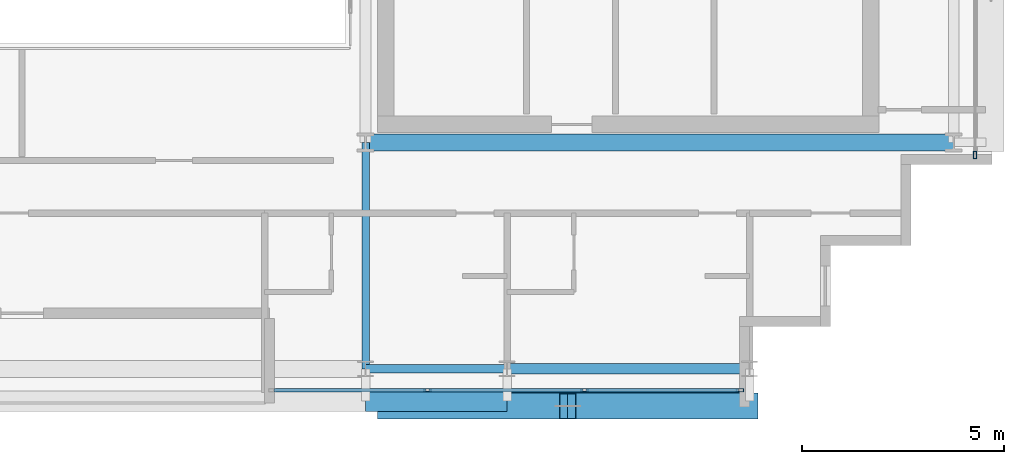
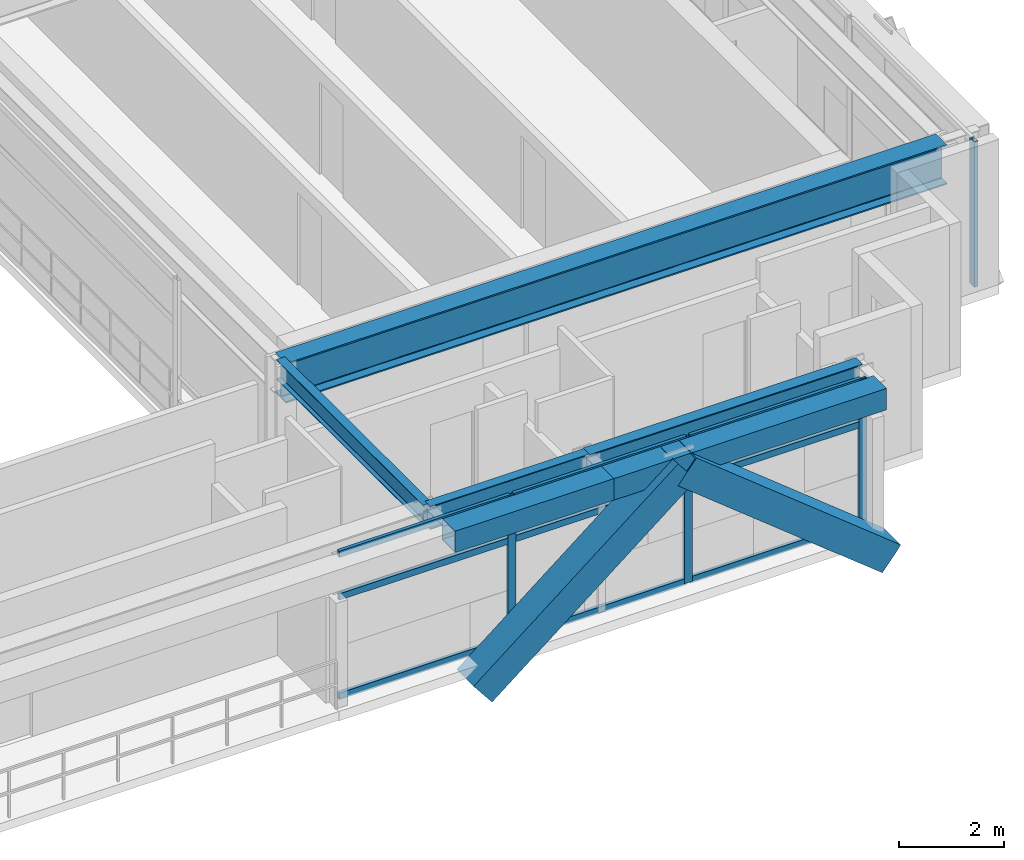
# One storey, part 9 of 29: 15 members, 6 beams, 2 elements without a shape of their own.
"""IFC4 building model written with IfcOpenShell, lengths in metres."""

import ifcopenshell
import ifcopenshell.guid

model = None  # the IFC model being written
_history = None  # IfcOwnerHistory: only IFC2X3 demands one
_inside = {}  # id of a spatial element -> (the spatial element, [elements in it])
_under = {}  # id of a project, library or spatial element -> (it, [spatial elements below it])
_declared = {}  # id of a project -> (the project, [libraries it declares])
_typed = {}  # id of a type object -> (the type object, [elements of that type])
_made_of = {}  # id of a material, layer set ... -> (it, [elements and type objects made of it])


def new_model(schema):
    """Start an empty IFC model of exactly this schema.

    Asked for "IFC4X3", IfcOpenShell would pick the latest addendum, in which some entities
    have other attributes; the version numbers below select the first issue.
    IFC2X3 requires an IfcOwnerHistory on every rooted entity: one is made here for all.
    """
    global model, _history
    if schema == "IFC4X3":
        model = ifcopenshell.file(schema_version=(4, 3, 0, 0))
    else:
        model = ifcopenshell.file(schema=schema)
    _inside.clear()
    _under.clear()
    _declared.clear()
    _typed.clear()
    _made_of.clear()
    _history = None
    if model.schema == "IFC2X3":
        org = make("IfcOrganization", Name="unknown")
        user = make(
            "IfcPersonAndOrganization",
            ThePerson=make("IfcPerson", FamilyName="unknown"),
            TheOrganization=org,
        )
        app = make(
            "IfcApplication",
            ApplicationDeveloper=org,
            Version="unknown",
            ApplicationFullName="unknown",
            ApplicationIdentifier="unknown",
        )
        _history = make(
            "IfcOwnerHistory",
            OwningUser=user,
            OwningApplication=app,
            ChangeAction="ADDED",
            CreationDate=0,
        )
    return model


def make(cls, **values):
    """One entity of the class cls with the attributes given. An attribute that is None is left unset."""
    return model.create_entity(
        cls, **{name: value for name, value in values.items() if value is not None}
    )


def rooted(cls, **values):
    """An entity with a GlobalId (a new one), such as an element, a storey or a relation."""
    return make(cls, GlobalId=ifcopenshell.guid.new(), OwnerHistory=_history, **values)


def si_unit(unit_type, name, prefix=None):
    """IfcSIUnit, for example si_unit("LENGTHUNIT", "METRE", prefix="MILLI")."""
    return make("IfcSIUnit", UnitType=unit_type, Prefix=prefix, Name=name)


def assignment(units):
    """IfcUnitAssignment: the units of a project."""
    return None if units is None else make("IfcUnitAssignment", Units=units)


def point(xyz):
    """IfcCartesianPoint."""
    return None if xyz is None else make("IfcCartesianPoint", Coordinates=xyz)


def direction(xyz):
    """IfcDirection."""
    return None if xyz is None else make("IfcDirection", DirectionRatios=xyz)


def frame(location, z_axis=None, x_axis=None):
    """IfcAxis2Placement3D, a coordinate frame: its origin and axes. An axis left out is left unset."""
    return make(
        "IfcAxis2Placement3D",
        Location=point(location),
        Axis=direction(z_axis),
        RefDirection=direction(x_axis),
    )


def frame_2d(location, x_axis=None):
    """IfcAxis2Placement2D, a coordinate frame in the plane: its origin and x axis."""
    return make(
        "IfcAxis2Placement2D", Location=point(location), RefDirection=direction(x_axis)
    )


def origin():
    """The frame at (0, 0, 0) with its axes left unset."""
    return frame((0.0, 0.0, 0.0))


def origin_2d():
    """The frame at (0, 0) in the plane with its x axis left unset."""
    return frame_2d((0.0, 0.0))


def place(relative_to, where):
    """IfcLocalPlacement: puts the frame where relative to a parent placement (None: the world)."""
    return make(
        "IfcLocalPlacement", PlacementRelTo=relative_to, RelativePlacement=where
    )


def context(
    kind, dimensions, precision=None, world=None, true_north=None, identifier=None
):
    """IfcGeometricRepresentationContext, for example the 3D "Model" context."""
    return make(
        "IfcGeometricRepresentationContext",
        ContextIdentifier=identifier,
        ContextType=kind,
        CoordinateSpaceDimension=dimensions,
        Precision=precision,
        WorldCoordinateSystem=world,
        TrueNorth=true_north,
    )


def subcontext(parent, identifier, kind, view, scale=None):
    """IfcGeometricRepresentationSubContext, for example "Body" below "Model"."""
    return make(
        "IfcGeometricRepresentationSubContext",
        ContextIdentifier=identifier,
        ContextType=kind,
        ParentContext=parent,
        TargetScale=scale,
        TargetView=view,
    )


def project(units=None, contexts=None):
    """IfcProject with its units and contexts."""
    return rooted(
        "IfcProject",
        Name="project",
        RepresentationContexts=contexts,
        UnitsInContext=assignment(units),
    )


def spatial(cls, under=None, at=None, **own):
    """A site, building, storey or space (cls), placed at a placement, below another one or the project."""
    s = rooted(cls, ObjectPlacement=at, **own)
    if under is not None:
        _under.setdefault(under.id(), (under, []))[1].append(s)
    return s


def profile(cls, at=None, kind="AREA", **sizes):
    """A parametric profile (cls). Its sizes go by their IFC names, for example OverallWidth=200.0."""
    return make(cls, ProfileType=kind, Position=at, **sizes)


def hollow_rectangle(**sizes):
    """IfcRectangleHollowProfileDef."""
    return profile("IfcRectangleHollowProfileDef", **sizes)


def i_section(**sizes):
    """IfcIShapeProfileDef."""
    return profile("IfcIShapeProfileDef", **sizes)


def extrude(swept, where, along, depth):
    """IfcExtrudedAreaSolid: the profile swept, set in the frame where, extruded along a direction by depth."""
    return make(
        "IfcExtrudedAreaSolid",
        SweptArea=swept,
        Position=where,
        ExtrudedDirection=direction(along),
        Depth=depth,
    )


def shape(context_of_items, identifier, shape_type, items):
    """IfcShapeRepresentation: the items that make up one representation, for example the "Body"."""
    return make(
        "IfcShapeRepresentation",
        ContextOfItems=context_of_items,
        RepresentationIdentifier=identifier,
        RepresentationType=shape_type,
        Items=items,
    )


def source(mapping_origin, context_of_items, identifier, shape_type, items):
    """IfcRepresentationMap: a shape defined once, which mapped items show again and again."""
    return make(
        "IfcRepresentationMap",
        MappingOrigin=mapping_origin,
        MappedRepresentation=shape(context_of_items, identifier, shape_type, items),
    )


def transform(
    local_origin,
    x_axis=None,
    y_axis=None,
    z_axis=None,
    scale=None,
    scale2=None,
    scale3=None,
    uniform=True,
):
    """IfcCartesianTransformationOperator3D, or its non-uniform kind. x_axis, y_axis, z_axis: its Axis1, 2, 3."""
    if uniform:
        return make(
            "IfcCartesianTransformationOperator3D",
            Axis1=direction(x_axis),
            Axis2=direction(y_axis),
            LocalOrigin=point(local_origin),
            Scale=scale,
            Axis3=direction(z_axis),
        )
    return make(
        "IfcCartesianTransformationOperator3DnonUniform",
        Axis1=direction(x_axis),
        Axis2=direction(y_axis),
        LocalOrigin=point(local_origin),
        Scale=scale,
        Axis3=direction(z_axis),
        Scale2=scale2,
        Scale3=scale3,
    )


def mapped(mapping_source, mapping_target):
    """IfcMappedItem: shows the shape of a source again, moved by a transform."""
    return make(
        "IfcMappedItem", MappingSource=mapping_source, MappingTarget=mapping_target
    )


def material(Name=None, Category=None):
    """IfcMaterial."""
    return make("IfcMaterial", Name=Name, Category=Category)


def layer(
    of_material, thickness, ventilated=None, Name=None, Category=None, Priority=None
):
    """IfcMaterialLayer: one layer of a wall or slab, of a material (None: an air gap)."""
    return make(
        "IfcMaterialLayer",
        Material=of_material,
        LayerThickness=thickness,
        IsVentilated=ventilated,
        Name=Name,
        Category=Category,
        Priority=Priority,
    )


def layer_set(layers, Name=None):
    """IfcMaterialLayerSet."""
    return make("IfcMaterialLayerSet", MaterialLayers=layers, LayerSetName=Name)


def material_profile(
    of_material, cross_section, Name=None, Category=None, Priority=None
):
    """IfcMaterialProfile: a cross section and its material."""
    return make(
        "IfcMaterialProfile",
        Name=Name,
        Material=of_material,
        Profile=cross_section,
        Priority=Priority,
        Category=Category,
    )


def profile_set(profiles, Name=None, composite=None):
    """IfcMaterialProfileSet."""
    return make(
        "IfcMaterialProfileSet",
        Name=Name,
        MaterialProfiles=profiles,
        CompositeProfile=composite,
    )


def made_of(thing, what):
    """Note that an element or type object is made of a material, layer set ...; save() writes the relation."""
    if what is not None:
        _made_of.setdefault(what.id(), (what, []))[1].append(thing)
    return thing


def type_object(cls, material=None, **own):
    """A type object (cls), such as IfcWallType, which elements share."""
    return made_of(rooted(cls, **own), material)


def element(
    cls,
    number,
    at=None,
    inside=None,
    cuts=None,
    type_object=None,
    material=None,
    context=None,
    identifier="Body",
    shape_type=None,
    held_by="IfcProductDefinitionShape",
    body=None,
    shapes=None,
    **own,
):
    """One element of the class cls, such as IfcWall. Its Tag is "e" and its number.

    at: its placement. inside: the storey or other place that contains it. cuts: it is an
    opening in that element (IfcRelVoidsElement). A single representation is given by context,
    identifier, shape_type and body (its items); several are given by shapes. held_by: the class
    of the entity that holds the representations. save() writes the other relations.
    """
    e = rooted(cls, Tag="e%d" % number, ObjectPlacement=at, **own)
    if body is not None:
        shapes = [shape(context, identifier, shape_type, body)]
    if shapes is not None:
        e.Representation = make(held_by, Representations=shapes)
    if inside is not None:
        _inside.setdefault(inside.id(), (inside, []))[1].append(e)
    if cuts is not None:
        rooted(
            "IfcRelVoidsElement", RelatingBuildingElement=cuts, RelatedOpeningElement=e
        )
    if type_object is not None:
        _typed.setdefault(type_object.id(), (type_object, []))[1].append(e)
    return made_of(e, material)


def aggregate(whole, parts):
    """IfcRelAggregates: a whole, such as a stair, and the parts it consists of."""
    return rooted("IfcRelAggregates", RelatingObject=whole, RelatedObjects=parts)


def save(model, path):
    """Write the relations noted so far, then the file.

    IfcRelAggregates (storeys below a building ...), IfcRelContainedInSpatialStructure (elements
    in a storey), IfcRelDefinesByType, IfcRelAssociatesMaterial and IfcRelDeclares: one each for
    every whole, place, type object, material and project.
    """
    for whole, parts in _under.values():
        aggregate(whole, parts)
    for where, things in _inside.values():
        rooted(
            "IfcRelContainedInSpatialStructure",
            RelatedElements=things,
            RelatingStructure=where,
        )
    for kind, things in _typed.values():
        rooted("IfcRelDefinesByType", RelatedObjects=things, RelatingType=kind)
    for what, things in _made_of.values():
        rooted("IfcRelAssociatesMaterial", RelatedObjects=things, RelatingMaterial=what)
    for by, libraries in _declared.values():
        rooted("IfcRelDeclares", RelatingContext=by, RelatedDefinitions=libraries)
    model.write(path)


model = new_model("IFC4")

# Units and contexts
model_context = context("Model", 3, precision=1e-05, world=origin(), true_north=direction((0.0, 1.0)))
body_context = subcontext(model_context, "Body", "Model", "MODEL_VIEW")
ifc_project = project(units=[si_unit("LENGTHUNIT", "METRE"), si_unit("AREAUNIT", "SQUARE_METRE"), si_unit("VOLUMEUNIT", "CUBIC_METRE"), si_unit("PLANEANGLEUNIT", "RADIAN"), si_unit("MASSUNIT", "GRAM", prefix="KILO")], contexts=[model_context])

# Site, building, storey
site_placement = place(None, origin())
site = spatial("IfcSite", under=ifc_project, at=site_placement, CompositionType="ELEMENT")
building_placement = place(site_placement, origin())
building = spatial("IfcBuilding", under=site, at=building_placement, Name="Ocotamira Hotel", CompositionType="ELEMENT")
storey_placement = place(building_placement, frame((0.0, 0.0, 236.39990234375)))
storey = spatial("IfcBuildingStorey", under=building, at=storey_placement, Name="L59", CompositionType="ELEMENT", Elevation=236.39990234375)

# Beams
ifc_material_1 = material(Name="Steel ASTM A992 Grade 50", Category="steel")
ifc_material_profile_1 = material_profile(ifc_material_1, i_section(OverallWidth=0.41796875, OverallDepth=0.927001953125, WebThickness=0.019287109375, FlangeThickness=0.031982421875, FilletRadius=0.02392578125, at=origin_2d()), Name="W36X231")
ifc_profile_set_1 = profile_set([ifc_material_profile_1], Name="Steel ASTM A992 Grade 50")
beam_type_1 = type_object("IfcBeamType", Name="BM-GIRD-W36X231", PredefinedType="BEAM", material=ifc_profile_set_1)
shared_shape_1 = source(origin(), body_context, "Body", "SweptSolid", [
    extrude(i_section(OverallWidth=0.41796875, OverallDepth=0.927001953125, WebThickness=0.019287109375, FlangeThickness=0.031982421875, FilletRadius=0.02392578125, at=origin_2d()), origin(), (0.0, 0.0, 1.0), 14.550048828125),
])
beam_1_placement = place(storey_placement, frame((40.5, 14.550048828125, 2.91650390625), z_axis=(1.0, 0.0, 0.0), x_axis=(0.0, 1.0, 0.0)))
element("IfcBeam", 1, at=beam_1_placement, inside=storey, type_object=beam_type_1, Name="L59 Girder Y14.55 X40.5-55.05", PredefinedType="BEAM", context=body_context, shape_type="MappedRepresentation", body=[
    mapped(shared_shape_1, transform((0.0, 0.0, 0.0), scale=1.0)),
])
ifc_material_profile_2 = material_profile(ifc_material_1, i_section(OverallWidth=0.256103515625, OverallDepth=0.693115234375, WebThickness=0.014404296875, FlangeThickness=0.023681640625, FilletRadius=0.01611328125, at=origin_2d()), Name="W27X114")
ifc_profile_set_2 = profile_set([ifc_material_profile_2], Name="Steel ASTM A992 Grade 50")
beam_type_2 = type_object("IfcBeamType", Name="BM-PRIM-W27X114", PredefinedType="BEAM", material=ifc_profile_set_2)
shared_shape_2 = source(origin(), body_context, "Body", "SweptSolid", [
    extrude(i_section(OverallWidth=0.256103515625, OverallDepth=0.693115234375, WebThickness=0.014404296875, FlangeThickness=0.023681640625, FilletRadius=0.01611328125, at=origin_2d()), origin(), (0.0, 0.0, 1.0), 6.0),
])
beam_2_placement = place(storey_placement, frame((44.0, 8.949951171875, 3.03369140625), z_axis=(1.0, 0.0, 0.0), x_axis=(0.0, 1.0, 0.0)))
element("IfcBeam", 2, at=beam_2_placement, inside=storey, type_object=beam_type_2, Name="L59 Girder Y8.95 X44-50", PredefinedType="BEAM", context=body_context, shape_type="MappedRepresentation", body=[
    mapped(shared_shape_2, transform((0.0, 0.0, 0.0), scale=1.0)),
])
ifc_material_profile_3 = material_profile(ifc_material_1, i_section(OverallWidth=0.2099609375, OverallDepth=0.537109375, WebThickness=0.010986328125, FlangeThickness=0.017333984375, FilletRadius=0.012939453125, at=origin_2d()), Name="W21X68")
ifc_profile_set_3 = profile_set([ifc_material_profile_3], Name="Steel ASTM A992 Grade 50")
beam_type_3 = type_object("IfcBeamType", Name="BM-SEC-W21X68", PredefinedType="JOIST", material=ifc_profile_set_3)
shared_shape_3 = source(origin(), body_context, "Body", "SweptSolid", [
    extrude(i_section(OverallWidth=0.2099609375, OverallDepth=0.537109375, WebThickness=0.010986328125, FlangeThickness=0.017333984375, FilletRadius=0.012939453125, at=origin_2d()), origin(), (0.0, 0.0, 1.0), 3.5),
])
beam_3_placement = place(storey_placement, frame((40.5, 8.949951171875, 3.111572265625), z_axis=(1.0, 0.0, 0.0), x_axis=(0.0, 1.0, 0.0)))
element("IfcBeam", 3, at=beam_3_placement, inside=storey, type_object=beam_type_3, Name="L59 Girder Y8.95 X40.5-44", PredefinedType="JOIST", context=body_context, shape_type="MappedRepresentation", body=[
    mapped(shared_shape_3, transform((0.0, 0.0, 0.0), scale=1.0)),
])
ifc_material_2 = material(Name="Steel ASTM A500 Grade C", Category="steel")
ifc_material_profile_4 = material_profile(ifc_material_2, hollow_rectangle(XDim=0.5, YDim=0.5, WallThickness=0.02001953125, at=origin_2d()), Name="HSS500X500X20")
ifc_profile_set_4 = profile_set([ifc_material_profile_4], Name="Steel ASTM A500 Grade C")
beam_type_4 = type_object("IfcBeamType", Name="BM-SPAN-HSS500", PredefinedType="USERDEFINED", material=ifc_profile_set_4)
shared_shape_4 = source(origin(), body_context, "Body", "SweptSolid", [
    extrude(hollow_rectangle(XDim=0.5, YDim=0.5, WallThickness=0.02001953125, at=origin_2d()), origin(), (0.0, 0.0, 1.0), 6.0),
])
beam_4_placement = place(storey_placement, frame((44.0, 8.14990234375, 3.130126953125), z_axis=(1.0, 0.0, 0.0), x_axis=(0.0, 1.0, 0.0)))
element("IfcBeam", 4, at=beam_4_placement, inside=storey, type_object=beam_type_4, Name="L59 Edge Spandrel S X44-50", ObjectType="SPANDREL", PredefinedType="USERDEFINED", context=body_context, shape_type="MappedRepresentation", body=[
    mapped(shared_shape_4, transform((0.0, 0.0, 0.0), scale=1.0)),
])
shared_shape_5 = source(origin(), body_context, "Body", "SweptSolid", [
    extrude(hollow_rectangle(XDim=0.5, YDim=0.5, WallThickness=0.02001953125, at=origin_2d()), origin(), (0.0, 0.0, 1.0), 3.5),
])
beam_5_placement = place(storey_placement, frame((40.5, 8.14990234375, 3.130126953125), z_axis=(1.0, 0.0, 0.0), x_axis=(0.0, 1.0, 0.0)))
element("IfcBeam", 5, at=beam_5_placement, inside=storey, type_object=beam_type_4, Name="L59 Edge Spandrel S X40.5-44", ObjectType="SPANDREL", PredefinedType="USERDEFINED", context=body_context, shape_type="MappedRepresentation", body=[
    mapped(shared_shape_5, transform((0.0, 0.0, 0.0), scale=1.0)),
])
ifc_material_profile_5 = material_profile(ifc_material_1, i_section(OverallWidth=0.18994140625, OverallDepth=0.45703125, WebThickness=0.009033203125, FlangeThickness=0.014404296875, FilletRadius=0.010009765625, at=origin_2d()), Name="W18X50")
ifc_profile_set_5 = profile_set([ifc_material_profile_5], Name="Steel ASTM A992 Grade 50")
beam_type_5 = type_object("IfcBeamType", Name="BM-SEC-W18X50", PredefinedType="JOIST", material=ifc_profile_set_5)
shared_shape_6 = source(origin(), body_context, "Body", "SweptSolid", [
    extrude(i_section(OverallWidth=0.18994140625, OverallDepth=0.45703125, WebThickness=0.009033203125, FlangeThickness=0.014404296875, FilletRadius=0.010009765625, at=origin_2d()), origin(), (0.0, 0.0, 1.0), 5.60009765625),
])
beam_6_placement = place(storey_placement, frame((40.5, 8.949951171875, 3.151611328125), z_axis=(0.0, 1.0, 0.0), x_axis=(-1.0, 0.0, 0.0)))
element("IfcBeam", 6, at=beam_6_placement, inside=storey, type_object=beam_type_5, Name="L59 Beam X40.5 Y8.95-14.55", PredefinedType="JOIST", context=body_context, shape_type="MappedRepresentation", body=[
    mapped(shared_shape_6, transform((0.0, 0.0, 0.0), scale=1.0)),
])

# Members
ifc_material_3 = material(Name="Pale-metal coated steel ASTM A913 Grade 65", Category="steel")
ifc_material_profile_6 = material_profile(ifc_material_3, hollow_rectangle(XDim=0.64990234375, YDim=0.64990234375, WallThickness=0.02197265625, at=origin_2d()), Name="BOX650X650X22")
ifc_profile_set_6 = profile_set([ifc_material_profile_6], Name="Pale-metal coated steel ASTM A913 Grade 65")
member_type_1 = type_object("IfcMemberType", Name="MEM-EXO-BOX650", PredefinedType="BRACE", material=ifc_profile_set_6)
shared_shape_7 = source(origin(), body_context, "Body", "SweptSolid", [
    extrude(hollow_rectangle(XDim=0.64990234375, YDim=0.64990234375, WallThickness=0.02197265625, at=origin_2d()), origin(), (0.0, 0.0, 1.0), 5.762939453125),
])
for number, where, z_axis, x_axis, name in (
    (7, (41.0, 8.030029296875, -0.469970703125), (0.780860543151, 0.0, 0.624705380279), (0.0, 1.0, 0.0), "L59 Exoskeleton Diagrid S3.1"),
    (8, (50.0, 8.030029296875, -0.469970703125), (-0.780860543151, 0.0, 0.624705380279), (0.0, -1.0, 0.0), "L59 Exoskeleton Diagrid S3.2"),
):
    element("IfcMember", number, at=place(storey_placement, frame(where, z_axis=z_axis, x_axis=x_axis)), inside=storey, type_object=member_type_1, Name=name, PredefinedType="BRACE", context=body_context, shape_type="MappedRepresentation", body=[
        mapped(shared_shape_7, transform((0.0, 0.0, 0.0), scale=1.0)),
    ])

# Curtain wall, members
ifc_material_4 = material(Name="Anodised pale-metal aluminium and solar glass", Category="aluminium")
ifc_layer = layer(ifc_material_4, 0.239990234375)
ifc_layer_set = layer_set([ifc_layer], Name="Anodised pale-metal aluminium and solar glass")
curtain_wall_type = type_object("IfcCurtainWallType", Name="CW-SYS5-SKY", PredefinedType="NOTDEFINED", material=ifc_layer_set)
curtain_wall_1_placement = place(storey_placement, origin())
curtain_wall_1 = element("IfcCurtainWall", 9, at=curtain_wall_1_placement, inside=storey, type_object=curtain_wall_type, Name="L59 Curtain Wall CW-5 CW-L59-S2", PredefinedType="NOTDEFINED")
ifc_material_5 = material(Name="Anodised pale-metal aluminium 6063-T6", Category="aluminium")
ifc_material_profile_7 = material_profile(ifc_material_5, hollow_rectangle(XDim=0.074951171875, YDim=0.14990234375, WallThickness=0.006103515625, at=origin_2d()), Name="HSS150X75X6")
ifc_profile_set_7 = profile_set([ifc_material_profile_7], Name="Anodised pale-metal aluminium 6063-T6")
member_type_2 = type_object("IfcMemberType", Name="CWT-150X75", PredefinedType="USERDEFINED", material=ifc_profile_set_7)
shared_shape_8 = source(origin(), body_context, "Body", "SweptSolid", [
    extrude(hollow_rectangle(XDim=0.074951171875, YDim=0.14990234375, WallThickness=0.006103515625, at=origin_2d()), origin(), (0.0, 0.0, 1.0), 3.76318359375),
])
member_1_placement = place(storey_placement, frame((45.956787109375, 8.419921875, 0.03759765625), z_axis=(1.0, 0.0, 0.0), x_axis=(0.0, 1.0, 0.0)))
member_1 = element("IfcMember", 10, at=member_1_placement, type_object=member_type_2, Name="CW-5 transom 3.1", ObjectType="TRANSOM", PredefinedType="USERDEFINED", context=body_context, shape_type="MappedRepresentation", body=[
    mapped(shared_shape_8, transform((0.0, 0.0, 0.0), scale=1.0)),
])
member_2_placement = place(storey_placement, frame((45.956787109375, 8.419921875, 2.35009765625), z_axis=(1.0, 0.0, 0.0), x_axis=(0.0, 1.0, 0.0)))
member_2 = element("IfcMember", 11, at=member_2_placement, type_object=member_type_2, Name="CW-5 transom 3.2", ObjectType="TRANSOM", PredefinedType="USERDEFINED", context=body_context, shape_type="MappedRepresentation", body=[
    mapped(shared_shape_8, transform((0.0, 0.0, 0.0), scale=1.0)),
])
member_3_placement = place(storey_placement, frame((45.956787109375, 8.419921875, 3.342529296875), z_axis=(1.0, 0.0, 0.0), x_axis=(0.0, 1.0, 0.0)))
member_3 = element("IfcMember", 12, at=member_3_placement, type_object=member_type_2, Name="CW-5 transom 3.3", ObjectType="TRANSOM", PredefinedType="USERDEFINED", context=body_context, shape_type="MappedRepresentation", body=[
    mapped(shared_shape_8, transform((0.0, 0.0, 0.0), scale=1.0)),
])
shared_shape_9 = source(origin(), body_context, "Body", "SweptSolid", [
    extrude(hollow_rectangle(XDim=0.074951171875, YDim=0.14990234375, WallThickness=0.006103515625, at=origin_2d()), origin(), (0.0, 0.0, 1.0), 3.803466796875),
])
member_4_placement = place(storey_placement, frame((42.0732421875, 8.419921875, 0.03759765625), z_axis=(1.0, 0.0, 0.0), x_axis=(0.0, 1.0, 0.0)))
member_4 = element("IfcMember", 13, at=member_4_placement, type_object=member_type_2, Name="CW-5 transom 2.1", ObjectType="TRANSOM", PredefinedType="USERDEFINED", context=body_context, shape_type="MappedRepresentation", body=[
    mapped(shared_shape_9, transform((0.0, 0.0, 0.0), scale=1.0)),
])
member_5_placement = place(storey_placement, frame((42.0732421875, 8.419921875, 2.35009765625), z_axis=(1.0, 0.0, 0.0), x_axis=(0.0, 1.0, 0.0)))
member_5 = element("IfcMember", 14, at=member_5_placement, type_object=member_type_2, Name="CW-5 transom 2.2", ObjectType="TRANSOM", PredefinedType="USERDEFINED", context=body_context, shape_type="MappedRepresentation", body=[
    mapped(shared_shape_9, transform((0.0, 0.0, 0.0), scale=1.0)),
])
member_6_placement = place(storey_placement, frame((42.0732421875, 8.419921875, 3.342529296875), z_axis=(1.0, 0.0, 0.0), x_axis=(0.0, 1.0, 0.0)))
member_6 = element("IfcMember", 15, at=member_6_placement, type_object=member_type_2, Name="CW-5 transom 2.3", ObjectType="TRANSOM", PredefinedType="USERDEFINED", context=body_context, shape_type="MappedRepresentation", body=[
    mapped(shared_shape_9, transform((0.0, 0.0, 0.0), scale=1.0)),
])
shared_shape_10 = source(origin(), body_context, "Body", "SweptSolid", [
    extrude(hollow_rectangle(XDim=0.074951171875, YDim=0.14990234375, WallThickness=0.006103515625, at=origin_2d()), origin(), (0.0, 0.0, 1.0), 3.763427734375),
])
member_7_placement = place(storey_placement, frame((38.22998046875, 8.419921875, 0.03759765625), z_axis=(1.0, 0.0, 0.0), x_axis=(0.0, 1.0, 0.0)))
member_7 = element("IfcMember", 16, at=member_7_placement, type_object=member_type_2, Name="CW-5 transom 1.1", ObjectType="TRANSOM", PredefinedType="USERDEFINED", context=body_context, shape_type="MappedRepresentation", body=[
    mapped(shared_shape_10, transform((0.0, 0.0, 0.0), scale=1.0)),
])
member_8_placement = place(storey_placement, frame((38.22998046875, 8.419921875, 2.35009765625), z_axis=(1.0, 0.0, 0.0), x_axis=(0.0, 1.0, 0.0)))
member_8 = element("IfcMember", 17, at=member_8_placement, type_object=member_type_2, Name="CW-5 transom 1.2", ObjectType="TRANSOM", PredefinedType="USERDEFINED", context=body_context, shape_type="MappedRepresentation", body=[
    mapped(shared_shape_10, transform((0.0, 0.0, 0.0), scale=1.0)),
])
member_9_placement = place(storey_placement, frame((38.22998046875, 8.419921875, 3.342529296875), z_axis=(1.0, 0.0, 0.0), x_axis=(0.0, 1.0, 0.0)))
member_9 = element("IfcMember", 18, at=member_9_placement, type_object=member_type_2, Name="CW-5 transom 1.3", ObjectType="TRANSOM", PredefinedType="USERDEFINED", context=body_context, shape_type="MappedRepresentation", body=[
    mapped(shared_shape_10, transform((0.0, 0.0, 0.0), scale=1.0)),
])
ifc_material_profile_8 = material_profile(ifc_material_5, hollow_rectangle(XDim=0.080078125, YDim=0.179931640625, WallThickness=0.006103515625, at=origin_2d()), Name="HSS180X80X6")
ifc_profile_set_8 = profile_set([ifc_material_profile_8], Name="Anodised pale-metal aluminium 6063-T6")
member_type_3 = type_object("IfcMemberType", Name="CWM-180X75", PredefinedType="MULLION", material=ifc_profile_set_8)
shared_shape_11 = source(origin(), body_context, "Body", "SweptSolid", [
    extrude(hollow_rectangle(XDim=0.080078125, YDim=0.179931640625, WallThickness=0.006103515625, at=origin_2d()), origin(), (0.0, 0.0, 1.0), 3.380126953125),
])
member_10_placement = place(storey_placement, frame((42.033447265625, 8.419921875, 0.0), z_axis=(0.0, 0.0, 1.0), x_axis=(0.0, 1.0, 0.0)))
member_10 = element("IfcMember", 19, at=member_10_placement, type_object=member_type_3, Name="CW-5 mullion 2", PredefinedType="MULLION", context=body_context, shape_type="MappedRepresentation", body=[
    mapped(shared_shape_11, transform((0.0, 0.0, 0.0), scale=1.0)),
])
member_11_placement = place(storey_placement, frame((45.916748046875, 8.419921875, 0.0), z_axis=(0.0, 0.0, 1.0), x_axis=(0.0, 1.0, 0.0)))
member_11 = element("IfcMember", 20, at=member_11_placement, type_object=member_type_3, Name="CW-5 mullion 3", PredefinedType="MULLION", context=body_context, shape_type="MappedRepresentation", body=[
    mapped(shared_shape_11, transform((0.0, 0.0, 0.0), scale=1.0)),
])
member_12_placement = place(storey_placement, frame((49.760009765625, 8.419921875, 0.0), z_axis=(0.0, 0.0, 1.0), x_axis=(0.0, 1.0, 0.0)))
member_12 = element("IfcMember", 21, at=member_12_placement, type_object=member_type_3, Name="CW-5 mullion 4", PredefinedType="MULLION", context=body_context, shape_type="MappedRepresentation", body=[
    mapped(shared_shape_11, transform((0.0, 0.0, 0.0), scale=1.0)),
])
aggregate(curtain_wall_1, [member_10, member_11, member_12, member_7, member_8, member_9, member_4, member_5, member_6, member_1, member_2, member_3])

# Curtain wall, member
curtain_wall_2_placement = place(storey_placement, origin())
curtain_wall_2 = element("IfcCurtainWall", 22, at=curtain_wall_2_placement, inside=storey, type_object=curtain_wall_type, Name="L59 Curtain Wall CW-5 CW-L59-E", PredefinedType="NOTDEFINED")
member_13_placement = place(storey_placement, frame((55.580078125, 14.239990234375, 0.0), z_axis=(0.0, 0.0, 1.0), x_axis=(-1.0, 0.0, 0.0)))
member_13 = element("IfcMember", 23, at=member_13_placement, type_object=member_type_3, Name="CW-5 mullion 1", PredefinedType="MULLION", context=body_context, shape_type="MappedRepresentation", body=[
    mapped(shared_shape_11, transform((0.0, 0.0, 0.0), scale=1.0)),
])
aggregate(curtain_wall_2, [member_13])

save(model, "model.ifc")
